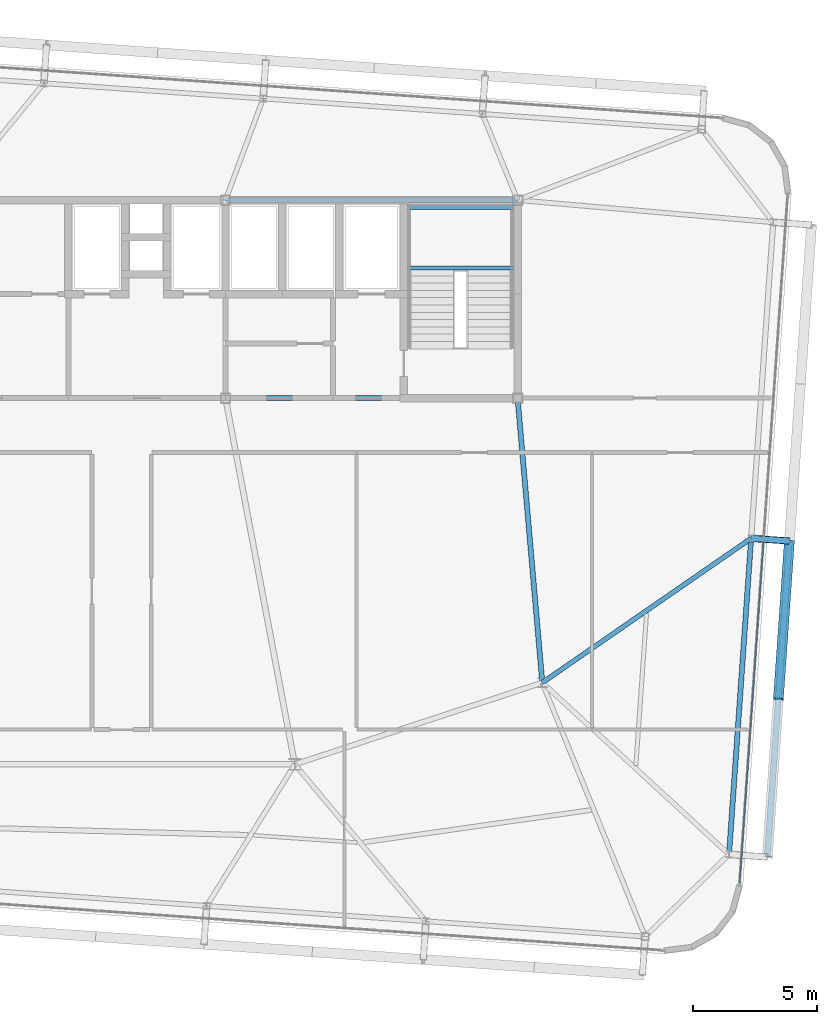
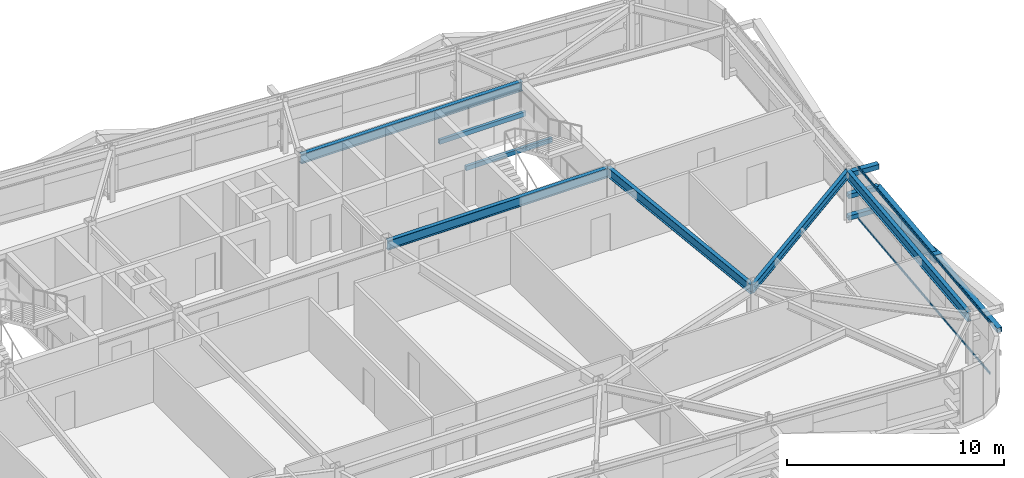
# One storey, part 16 of 39: 7 beams, 7 members, 1 element without a shape of its own.
"""IFC4 building model written with IfcOpenShell, lengths in metres."""

from ifc_helpers import new_model, si_unit, direction, frame, origin, origin_2d, place, context, subcontext, project, spatial, hollow_rectangle, i_section, extrude, source, transform, mapped, material, layer, layer_set, material_profile, profile_set, type_object, element, aggregate, save


model = new_model("IFC4")

# Units and contexts
model_context = context("Model", 3, precision=1e-05, world=origin(), true_north=direction((0.0, 1.0)))
body_context = subcontext(model_context, "Body", "Model", "MODEL_VIEW")
ifc_project = project(units=[si_unit("LENGTHUNIT", "METRE"), si_unit("AREAUNIT", "SQUARE_METRE"), si_unit("VOLUMEUNIT", "CUBIC_METRE"), si_unit("PLANEANGLEUNIT", "RADIAN"), si_unit("MASSUNIT", "GRAM", prefix="KILO")], contexts=[model_context])

# Site, building, storey
site_placement = place(None, origin())
site = spatial("IfcSite", under=ifc_project, at=site_placement, CompositionType="ELEMENT")
building_placement = place(site_placement, origin())
building = spatial("IfcBuilding", under=site, at=building_placement, Name="Taldren Reach Tower", CompositionType="ELEMENT")
storey_placement = place(building_placement, frame((0.0, 0.0, 129.85009765625)))
storey = spatial("IfcBuildingStorey", under=building, at=storey_placement, Name="L39", CompositionType="ELEMENT", Elevation=129.85009765625)

# Beams
ifc_material_1 = material(Name="Steel Gr 350 (350PLUS)", Category="steel")
ifc_material_profile_1 = material_profile(ifc_material_1, i_section(OverallWidth=0.208984375, OverallDepth=0.532958984375, WebThickness=0.01025390625, FlangeThickness=0.015625, at=origin_2d()), Name="530UB92.4")
ifc_profile_set_1 = profile_set([ifc_material_profile_1], Name="Steel Gr 350 (350PLUS)")
beam_type_1 = type_object("IfcBeamType", Name="BM-UB530A", PredefinedType="BEAM", material=ifc_profile_set_1)
shared_shape_1 = source(origin(), body_context, "Body", "SweptSolid", [
    extrude(i_section(OverallWidth=0.208984375, OverallDepth=0.532958984375, WebThickness=0.01025390625, FlangeThickness=0.015625, at=origin_2d()), origin(), (0.0, 0.0, 1.0), 11.800048828125),
])
for number, where, z_axis, x_axis, name in (
    (1, (39.199951171875, 24.0, 2.663330078125), (1.0, 0.0, 0.0), (0.0, 1.0, 0.0), "Core-spine girder L39-SP03"),
    (2, (39.199951171875, 32.0, 2.663330078125), (1.0, 0.0, 0.0), (0.0, 1.0, 0.0), "Core-spine girder L39-SP06"),
):
    element("IfcBeam", number, at=place(storey_placement, frame(where, z_axis=z_axis, x_axis=x_axis)), inside=storey, type_object=beam_type_1, Name=name, PredefinedType="BEAM", context=body_context, shape_type="MappedRepresentation", body=[
        mapped(shared_shape_1, transform((0.0, 0.0, 0.0), scale=1.0)),
    ])
shared_shape_2 = source(origin(), body_context, "Body", "SweptSolid", [
    extrude(i_section(OverallWidth=0.208984375, OverallDepth=0.532958984375, WebThickness=0.01025390625, FlangeThickness=0.015625, at=origin_2d()), origin(), (0.0, 0.0, 1.0), 11.54345703125),
])
beam_1_placement = place(storey_placement, frame((52.0, 12.5, 2.663330078125), z_axis=(-0.086629616365, 0.996240588196, 0.0), x_axis=(-0.996240588196, -0.086629616365, 0.0)))
element("IfcBeam", 3, at=beam_1_placement, inside=storey, type_object=beam_type_1, Name="Core-spine girder L39-SP13", PredefinedType="BEAM", context=body_context, shape_type="MappedRepresentation", body=[
    mapped(shared_shape_2, transform((0.0, 0.0, 0.0), scale=1.0)),
])

# Members
ifc_material_2 = material(Name="Steel Gr 450 (C450L0)", Category="steel")
ifc_material_profile_2 = material_profile(ifc_material_2, hollow_rectangle(XDim=0.27490234375, YDim=0.27490234375, WallThickness=0.00927734375, at=origin_2d()), Name="275x275x9.3SHS")
ifc_profile_set_2 = profile_set([ifc_material_profile_2], Name="Steel Gr 450 (C450L0)")
member_type_1 = type_object("IfcMemberType", Name="MB-TIE273", PredefinedType="STRUT", material=ifc_profile_set_2)
shared_shape_3 = source(origin(), body_context, "Body", "SweptSolid", [
    extrude(hollow_rectangle(XDim=0.27490234375, YDim=0.27490234375, WallThickness=0.00927734375, at=origin_2d()), origin(), (0.0, 0.0, 1.0), 1.5498046875),
])
member_1_placement = place(storey_placement, frame((60.438232421875, 18.331787109375, 2.64990234375), z_axis=(0.997562367434, -0.069780535098, 0.0), x_axis=(0.069780535098, 0.997562367434, 0.0)))
element("IfcMember", 4, at=member_1_placement, inside=storey, type_object=member_type_1, Name="Exoskeleton diaphragm tie strut B3-E2 L39", PredefinedType="STRUT", context=body_context, shape_type="MappedRepresentation", body=[
    mapped(shared_shape_3, transform((0.0, 0.0, 0.0), scale=1.0)),
])
ifc_material_3 = material(Name="Steel Gr 350 (C350L0)", Category="steel")
ifc_material_profile_3 = material_profile(ifc_material_3, hollow_rectangle(XDim=0.25, YDim=0.25, WallThickness=0.010009765625, at=origin_2d()), Name="250x250x10.0SHS")
ifc_profile_set_3 = profile_set([ifc_material_profile_3], Name="Steel Gr 350 (C350L0)")
member_type_2 = type_object("IfcMemberType", Name="MB-POST250", PredefinedType="POST", material=ifc_profile_set_3)
shared_shape_4 = source(origin(), body_context, "Body", "SweptSolid", [
    extrude(hollow_rectangle(XDim=0.25, YDim=0.25, WallThickness=0.010009765625, at=origin_2d()), origin(), (0.0, 0.0, 1.0), 1.5498046875),
])
for number, where, z_axis, x_axis, name in (
    (5, (60.438232421875, 18.331787109375, 0.219970703125), (0.997562367434, -0.069780535098, 0.0), (0.069780535098, 0.997562367434, 0.0), "Exoskeleton base diaphragm tie strut B3-E2 L39"),
    (6, (60.438232421875, 18.331787109375, 1.434814453125), (0.997562367434, -0.069780535098, 0.0), (0.069780535098, 0.997562367434, 0.0), "Exoskeleton mid-tier diaphragm tie B3-E2 L39"),
):
    element("IfcMember", number, at=place(storey_placement, frame(where, z_axis=z_axis, x_axis=x_axis)), inside=storey, type_object=member_type_2, Name=name, PredefinedType="POST", context=body_context, shape_type="MappedRepresentation", body=[
        mapped(shared_shape_4, transform((0.0, 0.0, 0.0), scale=1.0)),
    ])

# Beams
ifc_material_profile_4 = material_profile(ifc_material_1, i_section(OverallWidth=0.208984375, OverallDepth=0.528076171875, WebThickness=0.009521484375, FlangeThickness=0.01318359375, at=origin_2d()), Name="530UB82.0")
ifc_profile_set_4 = profile_set([ifc_material_profile_4], Name="Steel Gr 350 (350PLUS)")
beam_type_2 = type_object("IfcBeamType", Name="SP-UB530B", PredefinedType="SPANDREL", material=ifc_profile_set_4)
shared_shape_5 = source(origin(), body_context, "Body", "SweptSolid", [
    extrude(i_section(OverallWidth=0.208984375, OverallDepth=0.528076171875, WebThickness=0.009521484375, FlangeThickness=0.01318359375, at=origin_2d()), origin(), (0.0, 0.0, 1.0), 12.80029296875),
])
beam_2_placement = place(storey_placement, frame((59.54541015625, 5.562744140625, 2.666015625), z_axis=(0.069750549628, 0.997564464497, 0.0), x_axis=(-0.997564464497, 0.069750549628, 0.0)))
element("IfcBeam", 7, at=beam_2_placement, inside=storey, type_object=beam_type_2, Name="Perimeter spandrel B3 E1-E2 L39", PredefinedType="SPANDREL", context=body_context, shape_type="MappedRepresentation", body=[
    mapped(shared_shape_5, transform((0.0, 0.0, 0.0), scale=1.0)),
])
ifc_material_profile_5 = material_profile(ifc_material_1, i_section(OverallWidth=0.19091796875, OverallDepth=0.4599609375, WebThickness=0.010009765625, FlangeThickness=0.01611328125, at=origin_2d()), Name="460UB82.1")
ifc_profile_set_5 = profile_set([ifc_material_profile_5], Name="Steel Gr 350 (350PLUS)")
beam_type_3 = type_object("IfcBeamType", Name="BM-UB460A", PredefinedType="BEAM", material=ifc_profile_set_5)
shared_shape_6 = source(origin(), body_context, "Body", "SweptSolid", [
    extrude(i_section(OverallWidth=0.19091796875, OverallDepth=0.4599609375, WebThickness=0.010009765625, FlangeThickness=0.01611328125, at=origin_2d()), origin(), (0.0, 0.0, 1.0), 10.25732421875),
])
beam_3_placement = place(storey_placement, frame((52.0, 12.5, 2.699951171875), z_axis=(0.822651197727, 0.568546398175, 0.0), x_axis=(-0.568546398175, 0.822651197727, 0.0)))
element("IfcBeam", 8, at=beam_3_placement, inside=storey, type_object=beam_type_3, Name="Primary floor girder B3-E2 L39", PredefinedType="BEAM", context=body_context, shape_type="MappedRepresentation", body=[
    mapped(shared_shape_6, transform((0.0, 0.0, 0.0), scale=1.0)),
])

# Members
shared_shape_7 = source(origin(), body_context, "Body", "SweptSolid", [
    extrude(hollow_rectangle(XDim=0.25, YDim=0.25, WallThickness=0.010009765625, at=origin_2d()), origin(), (0.0, 0.0, 1.0), 12.800048828125),
])
member_2_placement = place(storey_placement, frame((61.091552734375, 5.454833984375, 1.434814453125), z_axis=(0.069751876777, 0.9975643717, 0.0), x_axis=(-0.9975643717, 0.069751876777, 0.0)))
element("IfcMember", 9, at=member_2_placement, inside=storey, type_object=member_type_2, Name="Exoskeleton mid-height ring chord B3-E1 L39", PredefinedType="POST", context=body_context, shape_type="MappedRepresentation", body=[
    mapped(shared_shape_7, transform((0.0, 0.0, 0.0), scale=1.0)),
])
ifc_material_profile_6 = material_profile(ifc_material_2, hollow_rectangle(XDim=0.409912109375, YDim=0.409912109375, WallThickness=0.01611328125, at=origin_2d()), Name="410x410x16.0SHS")
ifc_profile_set_6 = profile_set([ifc_material_profile_6], Name="Steel Gr 450 (C450L0)")
member_type_3 = type_object("IfcMemberType", Name="MB-EXO406", PredefinedType="BRACE", material=ifc_profile_set_6)
shared_shape_8 = source(origin(), body_context, "Body", "SweptSolid", [
    extrude(hollow_rectangle(XDim=0.409912109375, YDim=0.409912109375, WallThickness=0.01611328125, at=origin_2d()), origin(), (0.0, 0.0, 1.0), 6.514404296875),
])
member_3_placement = place(storey_placement, frame((61.984375, 18.2236328125, 0.219970703125), z_axis=(-0.068508304784, -0.980066016634, 0.186486501425), x_axis=(0.997565791441, -0.069731569223, 0.0)))
element("IfcMember", 10, at=member_3_placement, inside=storey, type_object=member_type_3, Name="Exoskeleton Diagrid Brace B3-E1 L39", PredefinedType="BRACE", context=body_context, shape_type="MappedRepresentation", body=[
    mapped(shared_shape_8, transform((0.0, 0.0, 0.0), scale=1.0)),
])

# Curtain wall, members
ifc_material_4 = material(Name="Aluminium and Low-E Glass Unitised System", Category="aluminium")
ifc_layer = layer(ifc_material_4, 0.159912109375)
ifc_layer_set = layer_set([ifc_layer], Name="Aluminium and Low-E Glass Unitised System")
curtain_wall_type = type_object("IfcCurtainWallType", Name="CW-SYS-4", PredefinedType="NOTDEFINED", material=ifc_layer_set)
curtain_wall_placement = place(storey_placement, origin())
curtain_wall = element("IfcCurtainWall", 11, at=curtain_wall_placement, inside=storey, type_object=curtain_wall_type, Name="Unitised curtain wall CW-L39-E", PredefinedType="NOTDEFINED")
ifc_material_5 = material(Name="Anodised Aluminium 6063-T6", Category="aluminium")
ifc_material_profile_7 = material_profile(ifc_material_5, hollow_rectangle(XDim=0.054931640625, YDim=0.1201171875, WallThickness=0.0029296875, at=origin_2d()), Name="ALU-120x55x3RHS")
ifc_profile_set_7 = profile_set([ifc_material_profile_7], Name="Anodised Aluminium 6063-T6")
member_type_4 = type_object("IfcMemberType", Name="CW-TRN-135", PredefinedType="USERDEFINED", material=ifc_profile_set_7)
shared_shape_9 = source(origin(), body_context, "Body", "SweptSolid", [
    extrude(hollow_rectangle(XDim=0.054931640625, YDim=0.1201171875, WallThickness=0.0029296875, at=origin_2d()), origin(), (0.0, 0.0, 1.0), 13.89501953125),
])
member_4_placement = place(storey_placement, frame((59.975341796875, 4.400146484375, 0.02734375), z_axis=(0.069754817075, 0.997564166104, 0.0), x_axis=(-0.997564166104, 0.069754817075, 0.0)))
member_4 = element("IfcMember", 12, at=member_4_placement, type_object=member_type_4, Name="CW-4 transom 1.1", ObjectType="TRANSOM", PredefinedType="USERDEFINED", context=body_context, shape_type="MappedRepresentation", body=[
    mapped(shared_shape_9, transform((0.0, 0.0, 0.0), scale=1.0)),
])
member_5_placement = place(storey_placement, frame((59.975341796875, 4.400146484375, 2.90234375), z_axis=(0.069754817075, 0.997564166104, 0.0), x_axis=(-0.997564166104, 0.069754817075, 0.0)))
member_5 = element("IfcMember", 13, at=member_5_placement, type_object=member_type_4, Name="CW-4 transom 1.2", ObjectType="TRANSOM", PredefinedType="USERDEFINED", context=body_context, shape_type="MappedRepresentation", body=[
    mapped(shared_shape_9, transform((0.0, 0.0, 0.0), scale=1.0)),
])
aggregate(curtain_wall, [member_4, member_5])

# Beams
ifc_material_profile_8 = material_profile(ifc_material_3, hollow_rectangle(XDim=0.14990234375, YDim=0.25, WallThickness=0.009033203125, at=origin_2d()), Name="250x150x9.0RHS")
ifc_profile_set_8 = profile_set([ifc_material_profile_8], Name="Steel Gr 350 (C350L0)")
beam_type_4 = type_object("IfcBeamType", Name="LN-RHS250", PredefinedType="LINTEL", material=ifc_profile_set_8)
shared_shape_10 = source(origin(), body_context, "Body", "SweptSolid", [
    extrude(hollow_rectangle(XDim=0.14990234375, YDim=0.25, WallThickness=0.009033203125, at=origin_2d()), origin(), (0.0, 0.0, 1.0), 4.60009765625),
])
for number, where, z_axis, x_axis, name in (
    (14, (46.39990234375, 29.2548828125, 1.27001953125), (1.0, 0.0, 0.0), (0.0, 1.0, 0.0), "Stair half-landing support beam ST2-L39-1"),
    (15, (46.39990234375, 31.699951171875, 1.27001953125), (1.0, 0.0, 0.0), (0.0, 1.0, 0.0), "Stair half-landing support beam ST2-L39-2"),
):
    element("IfcBeam", number, at=place(storey_placement, frame(where, z_axis=z_axis, x_axis=x_axis)), inside=storey, type_object=beam_type_4, Name=name, PredefinedType="LINTEL", context=body_context, shape_type="MappedRepresentation", body=[
        mapped(shared_shape_10, transform((0.0, 0.0, 0.0), scale=1.0)),
    ])

save(model, "model.ifc")
